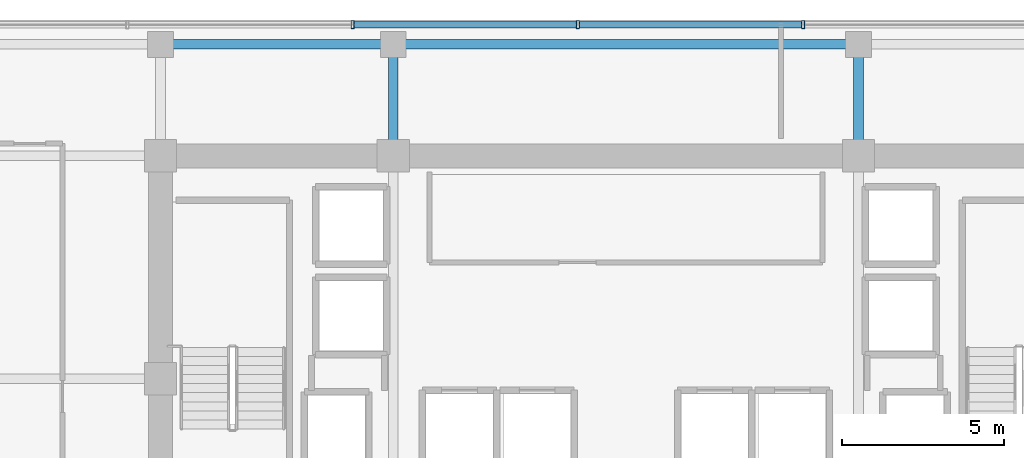
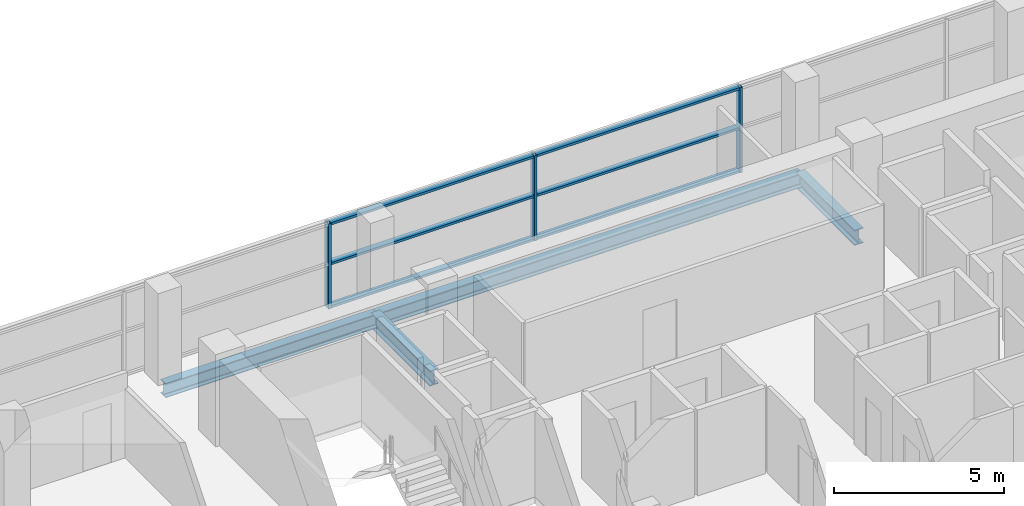
# One storey, part 11 of 23: 9 members, 4 beams, 1 element without a shape of its own.
"""IFC4 building model written with IfcOpenShell, lengths in metres."""

from ifc_helpers import new_model, si_unit, direction, frame, origin, origin_2d, place, context, subcontext, project, spatial, hollow_rectangle, i_section, extrude, source, transform, mapped, material, layer, layer_set, material_profile, profile_set, type_object, element, aggregate, save


model = new_model("IFC4")

# Units and contexts
model_context = context("Model", 3, precision=1e-05, world=origin(), true_north=direction((0.0, 1.0)))
body_context = subcontext(model_context, "Body", "Model", "MODEL_VIEW")
ifc_project = project(units=[si_unit("LENGTHUNIT", "METRE"), si_unit("AREAUNIT", "SQUARE_METRE"), si_unit("VOLUMEUNIT", "CUBIC_METRE"), si_unit("PLANEANGLEUNIT", "RADIAN"), si_unit("MASSUNIT", "GRAM", prefix="KILO")], contexts=[model_context])

# Site, building, storey
site_placement = place(None, origin())
site = spatial("IfcSite", under=ifc_project, at=site_placement, CompositionType="ELEMENT")
building_placement = place(site_placement, origin())
building = spatial("IfcBuilding", under=site, at=building_placement, Name="Zarnakvel Exchange Tower", CompositionType="ELEMENT")
storey_placement = place(building_placement, frame((0.0, 0.0, 123.10009765625)))
storey = spatial("IfcBuildingStorey", under=building, at=storey_placement, Name="L34", CompositionType="ELEMENT", Elevation=123.10009765625)

# Beams
ifc_material_1 = material(Name="Steel S355", Category="steel")
ifc_material_profile_1 = material_profile(ifc_material_1, i_section(OverallWidth=0.300048828125, OverallDepth=0.550048828125, WebThickness=0.014892578125, FlangeThickness=0.029052734375, FilletRadius=0.027099609375, at=origin_2d()))
ifc_profile_set_1 = profile_set([ifc_material_profile_1], Name="Steel S355")
beam_type_1 = type_object("IfcBeamType", Name="G-05", PredefinedType="BEAM", material=ifc_profile_set_1)
for number, where, z_axis, x_axis, name in (
    (1, (-7.199951171875, 13.5, -0.5), (0.0, 1.0, 0.0), (-1.0, 0.0, 0.0), "L34 Tower N-S Frame Beam"),
    (2, (7.199951171875, 13.5, -0.5), (0.0, 1.0, 0.0), (-1.0, 0.0, 0.0), "L34 Tower N-S Frame Beam"),
):
    element("IfcBeam", number, at=place(storey_placement, frame(where, z_axis=z_axis, x_axis=x_axis)), inside=storey, type_object=beam_type_1, Name=name, PredefinedType="BEAM", context=body_context, shape_type="SweptSolid", body=[
        extrude(i_section(OverallWidth=0.300048828125, OverallDepth=0.550048828125, WebThickness=0.014892578125, FlangeThickness=0.029052734375, FilletRadius=0.027099609375, at=origin_2d()), origin(), (0.0, 0.0, 1.0), 3.449951171875),
    ])
ifc_material_profile_2 = material_profile(ifc_material_1, i_section(OverallWidth=0.300048828125, OverallDepth=0.5, WebThickness=0.014404296875, FlangeThickness=0.028076171875, FilletRadius=0.027099609375, at=origin_2d()))
ifc_profile_set_2 = profile_set([ifc_material_profile_2], Name="Steel S355")
beam_type_2 = type_object("IfcBeamType", Name="SP-02", PredefinedType="SPANDREL", material=ifc_profile_set_2)
beam_1_placement = place(storey_placement, frame((-14.39990234375, 16.949951171875, -0.47509765625), z_axis=(1.0, 0.0, 0.0), x_axis=(0.0, 1.0, 0.0)))
element("IfcBeam", 3, at=beam_1_placement, inside=storey, type_object=beam_type_2, Name="L34 Tower E-W Frame Beam", PredefinedType="SPANDREL", context=body_context, shape_type="SweptSolid", body=[
    extrude(i_section(OverallWidth=0.300048828125, OverallDepth=0.5, WebThickness=0.014404296875, FlangeThickness=0.028076171875, FilletRadius=0.027099609375, at=origin_2d()), origin(), (0.0, 0.0, 1.0), 7.199951171875),
])
beam_2_placement = place(storey_placement, frame((-7.199951171875, 16.949951171875, -0.47509765625), z_axis=(1.0, 0.0, 0.0), x_axis=(0.0, 1.0, 0.0)))
element("IfcBeam", 4, at=beam_2_placement, inside=storey, type_object=beam_type_2, Name="L34 Tower E-W Frame Beam", PredefinedType="SPANDREL", context=body_context, shape_type="SweptSolid", body=[
    extrude(i_section(OverallWidth=0.300048828125, OverallDepth=0.5, WebThickness=0.014404296875, FlangeThickness=0.028076171875, FilletRadius=0.027099609375, at=origin_2d()), origin(), (0.0, 0.0, 1.0), 14.39990234375),
])

# Curtain wall, members
ifc_material_2 = material(Name="Architectural Bronze Anodised Aluminium", Category="aluminium")
ifc_layer = layer(ifc_material_2, 0.239990234375)
ifc_layer_set = layer_set([ifc_layer], Name="Architectural Bronze Anodised Aluminium")
curtain_wall_type = type_object("IfcCurtainWallType", Name="CW-02", PredefinedType="NOTDEFINED", material=ifc_layer_set)
curtain_wall_placement = place(storey_placement, origin())
curtain_wall = element("IfcCurtainWall", 5, at=curtain_wall_placement, inside=storey, type_object=curtain_wall_type, Name="L34 Curtain Wall CW-L34-N1 (CW-02)", PredefinedType="NOTDEFINED")
ifc_material_profile_3 = material_profile(ifc_material_2, hollow_rectangle(XDim=0.239990234375, YDim=0.090087890625, WallThickness=0.006103515625, at=origin_2d()))
ifc_profile_set_3 = profile_set([ifc_material_profile_3], Name="Architectural Bronze Anodised Aluminium")
member_type_1 = type_object("IfcMemberType", Name="CWM-02", PredefinedType="MULLION", material=ifc_profile_set_3)
shared_shape_1 = source(origin(), body_context, "Body", "SweptSolid", [
    extrude(hollow_rectangle(XDim=0.239990234375, YDim=0.090087890625, WallThickness=0.006103515625, at=origin_2d()), origin(), (0.0, 0.0, 1.0), 3.054931640625),
])
member_1_placement = place(storey_placement, frame((-8.45703125, 17.56005859375, 0.0), z_axis=(0.0, 0.0, 1.0), x_axis=(0.0, 1.0, 0.0)))
member_1 = element("IfcMember", 6, at=member_1_placement, type_object=member_type_1, Name="CW-02 mullion 3", PredefinedType="MULLION", context=body_context, shape_type="MappedRepresentation", body=[
    mapped(shared_shape_1, transform((0.0, 0.0, 0.0), x_axis=(1.0, 0.0, 0.0), y_axis=(0.0, 1.0, 0.0), z_axis=(0.0, 0.0, 1.0), scale=1.0)),
])
member_2_placement = place(storey_placement, frame((-1.485595703125, 17.56005859375, 0.0), z_axis=(0.0, 0.0, 1.0), x_axis=(0.0, 1.0, 0.0)))
member_2 = element("IfcMember", 7, at=member_2_placement, type_object=member_type_1, Name="CW-02 mullion 4", PredefinedType="MULLION", context=body_context, shape_type="MappedRepresentation", body=[
    mapped(shared_shape_1, transform((0.0, 0.0, 0.0), x_axis=(1.0, 0.0, 0.0), y_axis=(0.0, 1.0, 0.0), z_axis=(0.0, 0.0, 1.0), scale=1.0)),
])
member_3_placement = place(storey_placement, frame((5.485595703125, 17.56005859375, 0.0), z_axis=(0.0, 0.0, 1.0), x_axis=(0.0, 1.0, 0.0)))
member_3 = element("IfcMember", 8, at=member_3_placement, type_object=member_type_1, Name="CW-02 mullion 5", PredefinedType="MULLION", context=body_context, shape_type="MappedRepresentation", body=[
    mapped(shared_shape_1, transform((0.0, 0.0, 0.0), x_axis=(1.0, 0.0, 0.0), y_axis=(0.0, 1.0, 0.0), z_axis=(0.0, 0.0, 1.0), scale=1.0)),
])
ifc_material_profile_4 = material_profile(ifc_material_2, hollow_rectangle(XDim=0.199951171875, YDim=0.0849609375, WallThickness=0.0048828125, at=origin_2d()))
ifc_profile_set_4 = profile_set([ifc_material_profile_4], Name="Architectural Bronze Anodised Aluminium")
member_type_2 = type_object("IfcMemberType", Name="CWT-02", PredefinedType="USERDEFINED", material=ifc_profile_set_4)
shared_shape_2 = source(origin(), body_context, "Body", "SweptSolid", [
    extrude(hollow_rectangle(XDim=0.199951171875, YDim=0.0849609375, WallThickness=0.0048828125, at=origin_2d()), origin(), (0.0, 0.0, 1.0), 6.88134765625),
])
member_4_placement = place(storey_placement, frame((-8.412109375, 17.56005859375, 0.04248046875), z_axis=(1.0, 0.0, 0.0), x_axis=(0.0, 1.0, 0.0)))
member_4 = element("IfcMember", 9, at=member_4_placement, type_object=member_type_2, Name="CW-02 transom 3.1", ObjectType="TRANSOM", PredefinedType="USERDEFINED", context=body_context, shape_type="MappedRepresentation", body=[
    mapped(shared_shape_2, transform((0.0, 0.0, 0.0), x_axis=(1.0, 0.0, 0.0), y_axis=(0.0, 1.0, 0.0), z_axis=(0.0, 0.0, 1.0), scale=1.0)),
])
member_5_placement = place(storey_placement, frame((-8.412109375, 17.56005859375, 1.588623046875), z_axis=(1.0, 0.0, 0.0), x_axis=(0.0, 1.0, 0.0)))
member_5 = element("IfcMember", 10, at=member_5_placement, type_object=member_type_2, Name="CW-02 transom 3.2", ObjectType="TRANSOM", PredefinedType="USERDEFINED", context=body_context, shape_type="MappedRepresentation", body=[
    mapped(shared_shape_2, transform((0.0, 0.0, 0.0), x_axis=(1.0, 0.0, 0.0), y_axis=(0.0, 1.0, 0.0), z_axis=(0.0, 0.0, 1.0), scale=1.0)),
])
member_6_placement = place(storey_placement, frame((-8.412109375, 17.56005859375, 3.012451171875), z_axis=(1.0, 0.0, 0.0), x_axis=(0.0, 1.0, 0.0)))
member_6 = element("IfcMember", 11, at=member_6_placement, type_object=member_type_2, Name="CW-02 transom 3.3", ObjectType="TRANSOM", PredefinedType="USERDEFINED", context=body_context, shape_type="MappedRepresentation", body=[
    mapped(shared_shape_2, transform((0.0, 0.0, 0.0), x_axis=(1.0, 0.0, 0.0), y_axis=(0.0, 1.0, 0.0), z_axis=(0.0, 0.0, 1.0), scale=1.0)),
])
member_7_placement = place(storey_placement, frame((-1.440673828125, 17.56005859375, 0.04248046875), z_axis=(1.0, 0.0, 0.0), x_axis=(0.0, 1.0, 0.0)))
member_7 = element("IfcMember", 12, at=member_7_placement, type_object=member_type_2, Name="CW-02 transom 4.1", ObjectType="TRANSOM", PredefinedType="USERDEFINED", context=body_context, shape_type="MappedRepresentation", body=[
    mapped(shared_shape_2, transform((0.0, 0.0, 0.0), x_axis=(1.0, 0.0, 0.0), y_axis=(0.0, 1.0, 0.0), z_axis=(0.0, 0.0, 1.0), scale=1.0)),
])
member_8_placement = place(storey_placement, frame((-1.440673828125, 17.56005859375, 1.588623046875), z_axis=(1.0, 0.0, 0.0), x_axis=(0.0, 1.0, 0.0)))
member_8 = element("IfcMember", 13, at=member_8_placement, type_object=member_type_2, Name="CW-02 transom 4.2", ObjectType="TRANSOM", PredefinedType="USERDEFINED", context=body_context, shape_type="MappedRepresentation", body=[
    mapped(shared_shape_2, transform((0.0, 0.0, 0.0), x_axis=(1.0, 0.0, 0.0), y_axis=(0.0, 1.0, 0.0), z_axis=(0.0, 0.0, 1.0), scale=1.0)),
])
member_9_placement = place(storey_placement, frame((-1.440673828125, 17.56005859375, 3.012451171875), z_axis=(1.0, 0.0, 0.0), x_axis=(0.0, 1.0, 0.0)))
member_9 = element("IfcMember", 14, at=member_9_placement, type_object=member_type_2, Name="CW-02 transom 4.3", ObjectType="TRANSOM", PredefinedType="USERDEFINED", context=body_context, shape_type="MappedRepresentation", body=[
    mapped(shared_shape_2, transform((0.0, 0.0, 0.0), x_axis=(1.0, 0.0, 0.0), y_axis=(0.0, 1.0, 0.0), z_axis=(0.0, 0.0, 1.0), scale=1.0)),
])
aggregate(curtain_wall, [member_1, member_2, member_3, member_4, member_5, member_6, member_7, member_8, member_9])

save(model, "model.ifc")
